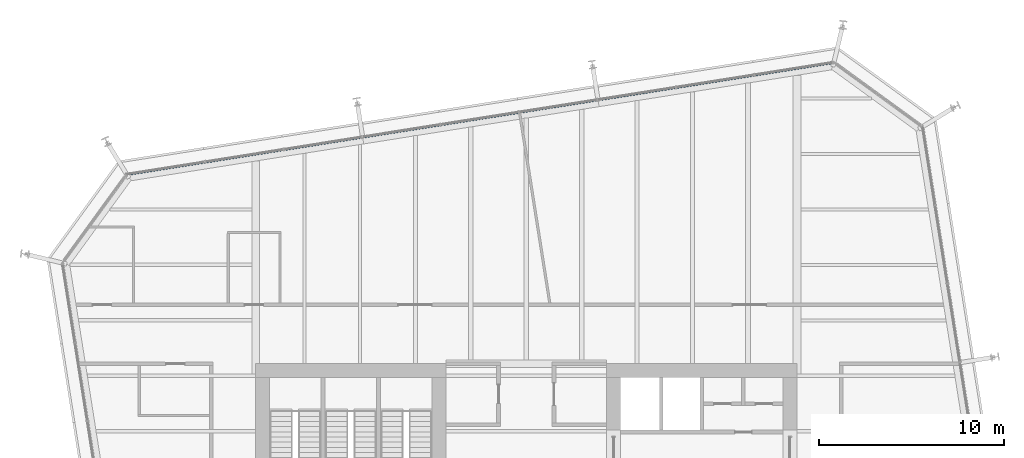
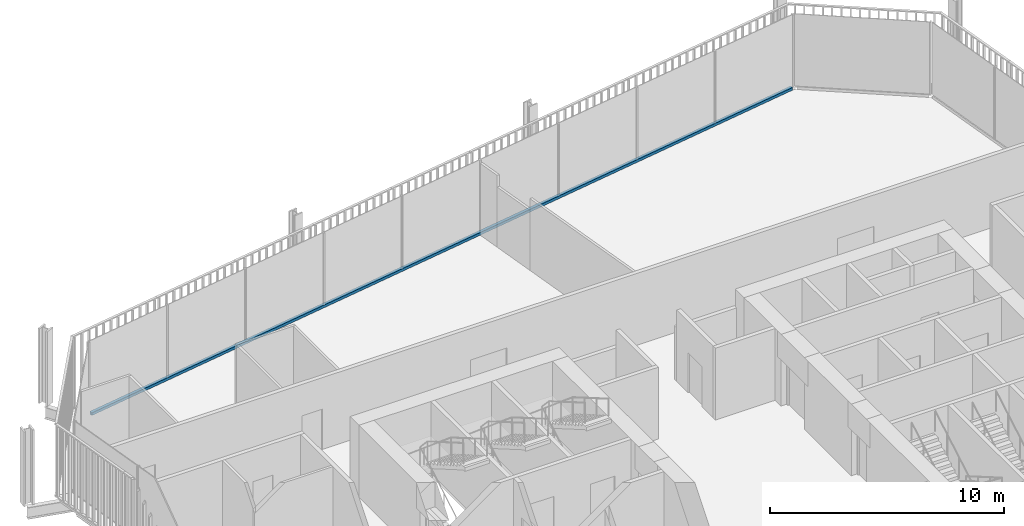
# One storey, part 12 of 21: 1 member, 1 element without a shape of its own.
"""IFC4 building model written with IfcOpenShell, lengths in metres."""

from ifc_helpers import new_model, si_unit, direction, frame, origin, origin_2d, place, context, subcontext, project, spatial, rectangle, extrude, material, layer, layer_set, material_profile, profile_set, type_object, element, aggregate, save


model = new_model("IFC4")

# Units and contexts
model_context = context("Model", 3, precision=1e-05, world=origin(), true_north=direction((0.0, 1.0)))
body_context = subcontext(model_context, "Body", "Model", "MODEL_VIEW")
ifc_project = project(units=[si_unit("LENGTHUNIT", "METRE"), si_unit("AREAUNIT", "SQUARE_METRE"), si_unit("VOLUMEUNIT", "CUBIC_METRE"), si_unit("PLANEANGLEUNIT", "RADIAN"), si_unit("MASSUNIT", "GRAM", prefix="KILO")], contexts=[model_context])

# Site, building, storey
site_placement = place(None, origin())
site = spatial("IfcSite", under=ifc_project, at=site_placement, CompositionType="ELEMENT")
building_placement = place(site_placement, origin())
building = spatial("IfcBuilding", under=site, at=building_placement, Name="Millrace Tower", CompositionType="ELEMENT")
storey_placement = place(building_placement, frame((0.0, 0.0, 164.60009765625)))
storey = spatial("IfcBuildingStorey", under=building, at=storey_placement, Name="L37", CompositionType="ELEMENT", Elevation=164.60009765625)

# Curtain wall, member
ifc_material_1 = material(Name="Aluminium and glass", Category="aluminium")
ifc_layer = layer(ifc_material_1, 0.14990234375)
ifc_layer_set = layer_set([ifc_layer], Name="Aluminium and glass")
curtain_wall_type = type_object("IfcCurtainWallType", Name="CW-1 office vision curtain wall", PredefinedType="NOTDEFINED", material=ifc_layer_set)
curtain_wall_placement = place(storey_placement, origin())
curtain_wall = element("IfcCurtainWall", 1, at=curtain_wall_placement, inside=storey, type_object=curtain_wall_type, Name="Curtain wall C-F06 L37", PredefinedType="NOTDEFINED")
ifc_material_2 = material(Name="Aluminium", Category="aluminium")
ifc_material_profile = material_profile(ifc_material_2, rectangle(XDim=0.14990234375, YDim=0.139892578125, at=origin_2d()))
ifc_profile_set = profile_set([ifc_material_profile], Name="Aluminium")
member_type = type_object("IfcMemberType", Name="CW-1 office vision curtain wall transom", PredefinedType="USERDEFINED", material=ifc_profile_set)
member_placement = place(storey_placement, frame((16.525146484375, 25.946044921875, 0.06982421875), z_axis=(-0.987688505691, -0.156433422663, 0.0), x_axis=(0.156433422663, -0.987688505691, 0.0)))
member = element("IfcMember", 2, at=member_placement, type_object=member_type, Name="CW1 transom C-F06.1", ObjectType="TRANSOM", PredefinedType="USERDEFINED", context=body_context, shape_type="SweptSolid", body=[
    extrude(rectangle(XDim=0.14990234375, YDim=0.139892578125, at=origin_2d()), origin(), (0.0, 0.0, 1.0), 38.5),
])
aggregate(curtain_wall, [member])

save(model, "model.ifc")
